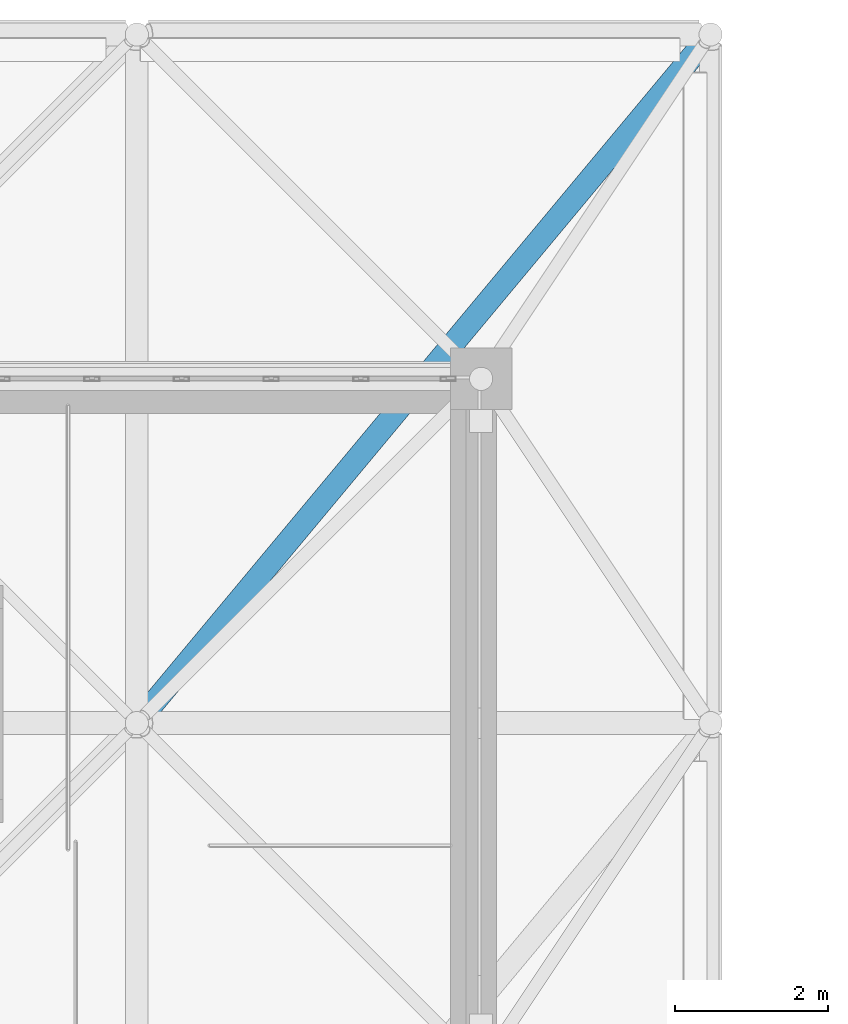
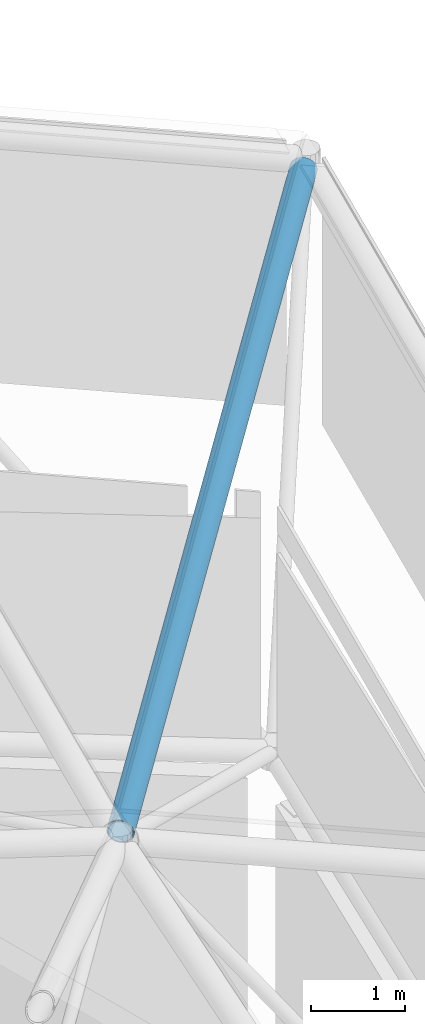
# One storey, part 150 of 437: 1 member.
"""IFC4 building model written with IfcOpenShell, lengths in metres."""

from ifc_helpers import new_model, si_unit, direction, frame, origin, origin_2d, place, context, subcontext, project, spatial, hollow_circle, extrude, material, material_profile, profile_set, type_object, element, save


model = new_model("IFC4")

# Units and contexts
model_context = context("Model", 3, precision=1e-05, world=origin(), true_north=direction((0.0, 1.0)))
body_context = subcontext(model_context, "Body", "Model", "MODEL_VIEW")
ifc_project = project(units=[si_unit("LENGTHUNIT", "METRE"), si_unit("AREAUNIT", "SQUARE_METRE"), si_unit("VOLUMEUNIT", "CUBIC_METRE"), si_unit("PLANEANGLEUNIT", "RADIAN"), si_unit("MASSUNIT", "GRAM", prefix="KILO")], contexts=[model_context])

# Site, building, storey
site_placement = place(None, origin())
site = spatial("IfcSite", under=ifc_project, at=site_placement, CompositionType="ELEMENT")
building_placement = place(site_placement, origin())
building = spatial("IfcBuilding", under=site, at=building_placement, Name="Opaline Strait Convention Centre", CompositionType="ELEMENT")
storey_placement = place(building_placement, frame((0.0, 0.0, 11.5)))
storey = spatial("IfcBuildingStorey", under=building, at=storey_placement, Name="L02", CompositionType="ELEMENT", Elevation=11.5)

# Member
ifc_material = material(Name="Steel Q355B", Category="steel")
ifc_material_profile = material_profile(ifc_material, hollow_circle(Radius=0.1494140625, WallThickness=0.01611328125, at=origin_2d()), Name="CHS 299x16")
ifc_profile_set = profile_set([ifc_material_profile], Name="Steel Q355B")
member_type = type_object("IfcMemberType", Name="Shell truss top chord CHS 299x16", PredefinedType="CHORD", material=ifc_profile_set)
member_placement = place(storey_placement, frame((67.595947265625, 175.615234375, 13.8544921875), z_axis=(0.638898309916, 0.766660897046, 0.063561140072), x_axis=(-0.768214267482, 0.640192814109, 0.0)))
element("IfcMember", 1, at=member_placement, inside=storey, type_object=member_type, Name="PTC1 top chord D8-8", PredefinedType="CHORD", context=body_context, shape_type="SweptSolid", body=[
    extrude(hollow_circle(Radius=0.1494140625, WallThickness=0.01611328125, at=origin_2d()), origin(), (0.0, 0.0, 1.0), 11.438720703125),
])

save(model, "model.ifc")
